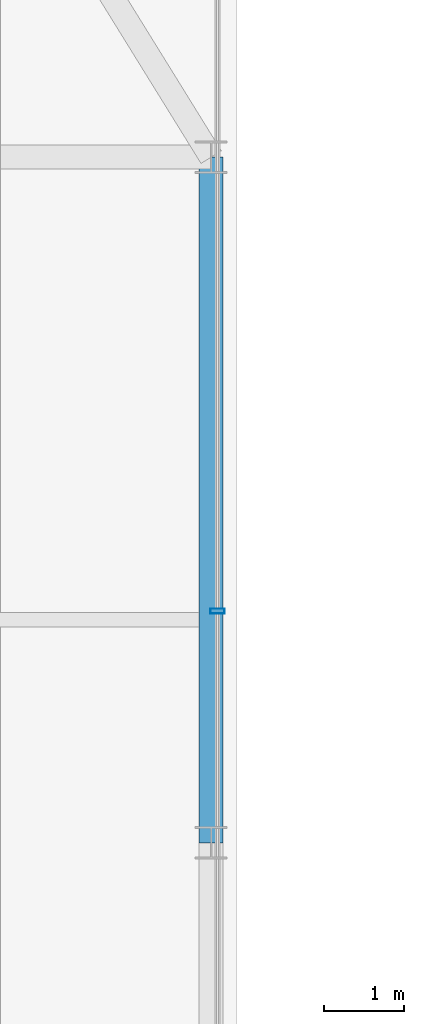
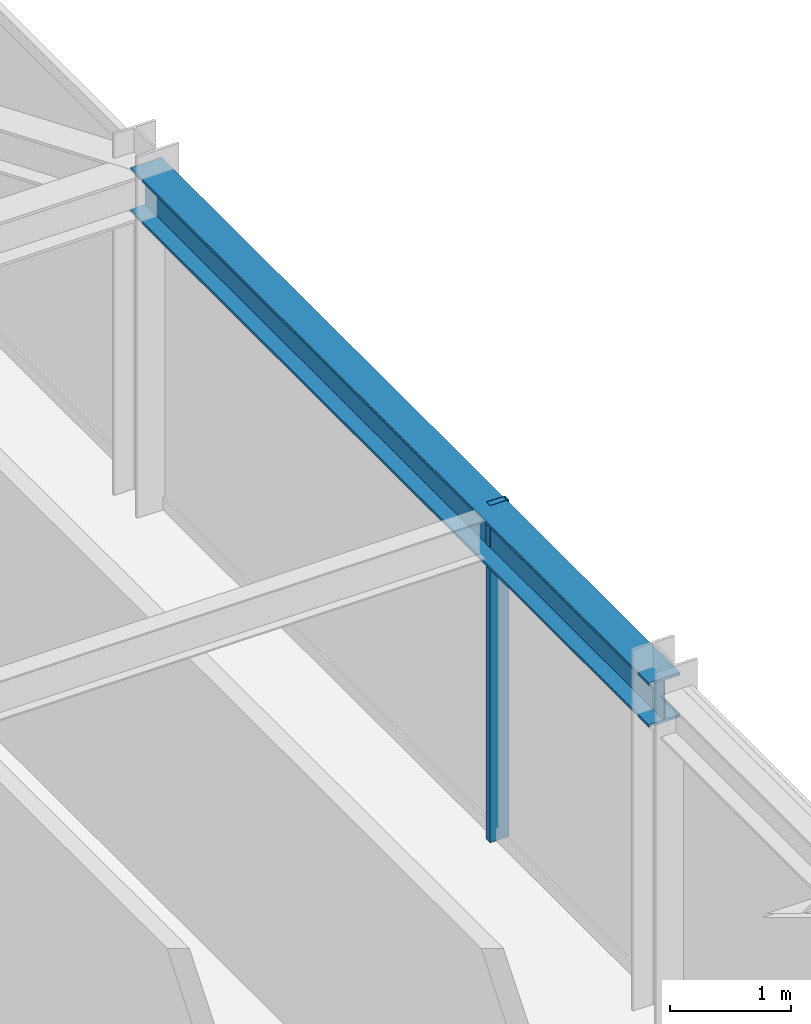
# One storey, part 25 of 43: 1 beam, 1 member, 1 element without a shape of its own.
"""IFC4 building model written with IfcOpenShell, lengths in metres."""

from ifc_helpers import new_model, si_unit, direction, frame, origin, origin_2d, place, context, subcontext, project, spatial, hollow_rectangle, i_section, extrude, source, transform, mapped, material, material_profile, profile_set, type_object, element, aggregate, save


model = new_model("IFC4")

# Units and contexts
model_context = context("Model", 3, precision=1e-05, world=origin(), true_north=direction((0.0, 1.0)))
body_context = subcontext(model_context, "Body", "Model", "MODEL_VIEW")
ifc_project = project(units=[si_unit("LENGTHUNIT", "METRE"), si_unit("AREAUNIT", "SQUARE_METRE"), si_unit("VOLUMEUNIT", "CUBIC_METRE"), si_unit("PLANEANGLEUNIT", "RADIAN"), si_unit("MASSUNIT", "GRAM", prefix="KILO")], contexts=[model_context])

# Site, building, storey
site_placement = place(None, origin())
site = spatial("IfcSite", under=ifc_project, at=site_placement, CompositionType="ELEMENT")
building_placement = place(site_placement, origin())
building = spatial("IfcBuilding", under=site, at=building_placement, Name="Nahalor Promenade Grand Hotel", CompositionType="ELEMENT")
storey_placement = place(building_placement, frame((0.0, 0.0, 204.89990234375)))
storey = spatial("IfcBuildingStorey", under=building, at=storey_placement, Name="L52", CompositionType="ELEMENT", Elevation=204.89990234375)

# Beam
ifc_material_1 = material(Name="Steel S355JR", Category="steel")
ifc_material_profile_1 = material_profile(ifc_material_1, i_section(OverallWidth=0.3, OverallDepth=0.45, WebThickness=0.014, FlangeThickness=0.026, at=origin_2d()), Name="HEB 450")
ifc_profile_set_1 = profile_set([ifc_material_profile_1], Name="Steel S355JR")
beam_type = type_object("IfcBeamType", Name="Beam-Spandrel-HEB450", PredefinedType="SPANDREL", material=ifc_profile_set_1)
shared_shape_1 = source(origin(), body_context, "Body", "SweptSolid", [
    extrude(i_section(OverallWidth=0.3, OverallDepth=0.45, WebThickness=0.014, FlangeThickness=0.026, at=origin_2d()), origin(), (0.0, 0.0, 1.0), 8.60009765625),
])
beam_placement = place(storey_placement, frame((23.8798828125, 8.39990234375, 3.18505859375), z_axis=(0.0, 1.0, 0.0), x_axis=(-1.0, 0.0, 0.0)))
element("IfcBeam", 1, at=beam_placement, inside=storey, type_object=beam_type, Name="BM-L52-SP-E-4", PredefinedType="SPANDREL", context=body_context, shape_type="MappedRepresentation", body=[
    mapped(shared_shape_1, transform((0.0, 0.0, 0.0), scale=1.0)),
])

# Curtain wall, member
ifc_material_2 = material(Name="Anodised Bronze Aluminium EN AW-6063 T6", Category="aluminium")
curtain_wall_type = type_object("IfcCurtainWallType", Name="CW2 Typical Hotel Flush Bronze Unitised Curtain Wall", PredefinedType="USERDEFINED", material=ifc_material_2)
curtain_wall_placement = place(storey_placement, origin())
curtain_wall = element("IfcCurtainWall", 2, at=curtain_wall_placement, inside=storey, type_object=curtain_wall_type, Name="L52 Curtain Wall CW-L52-E-3", ObjectType="UNITISED_CURTAIN_WALL", PredefinedType="USERDEFINED")
ifc_material_profile_2 = material_profile(ifc_material_2, hollow_rectangle(XDim=0.065, YDim=0.18, WallThickness=0.004, at=origin_2d()), Name="CWM 65x180x4")
ifc_profile_set_2 = profile_set([ifc_material_profile_2], Name="Anodised Bronze Aluminium EN AW-6063 T6")
member_type = type_object("IfcMemberType", Name="CWM2 Typical Bronze Mullion 65x180", PredefinedType="MULLION", material=ifc_profile_set_2)
shared_shape_2 = source(origin(), body_context, "Body", "SweptSolid", [
    extrude(hollow_rectangle(XDim=0.065, YDim=0.18, WallThickness=0.004, at=origin_2d()), origin(), (0.0, 0.0, 1.0), 3.41015625),
])
member_placement = place(storey_placement, frame((23.9599609375, 11.306640625, 0.0), z_axis=(0.0, 0.0, 1.0), x_axis=(0.0, 1.0, 0.0)))
member = element("IfcMember", 3, at=member_placement, type_object=member_type, Name="CW-L52-E-3 Mullion 2", PredefinedType="MULLION", context=body_context, shape_type="MappedRepresentation", body=[
    mapped(shared_shape_2, transform((0.0, 0.0, 0.0), scale=1.0)),
])
aggregate(curtain_wall, [member])

save(model, "model.ifc")
